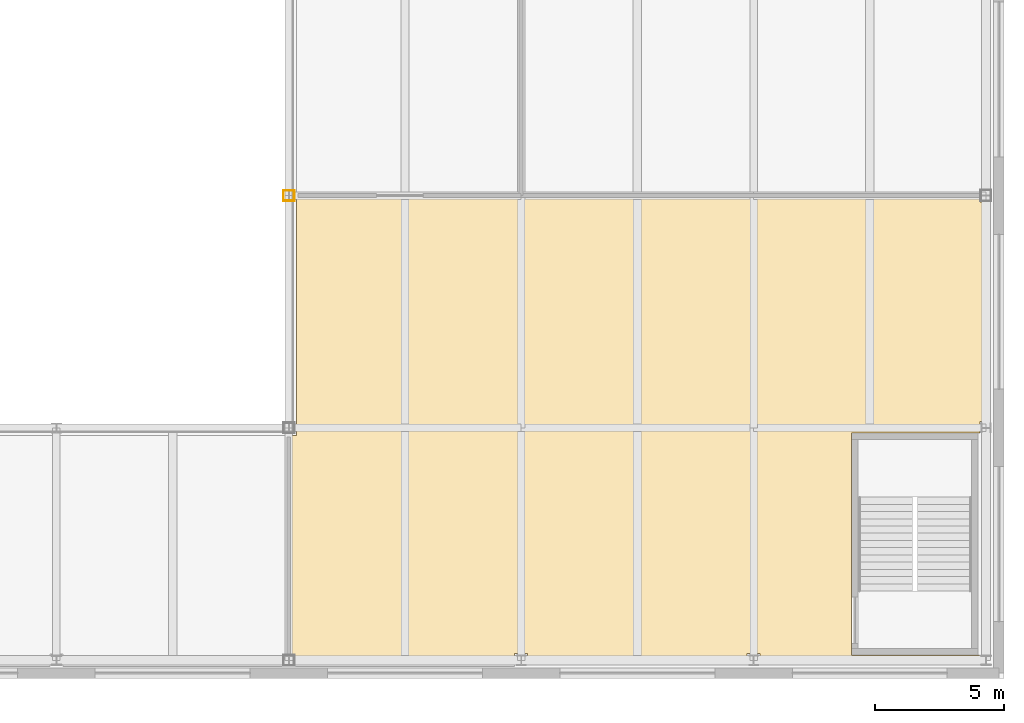
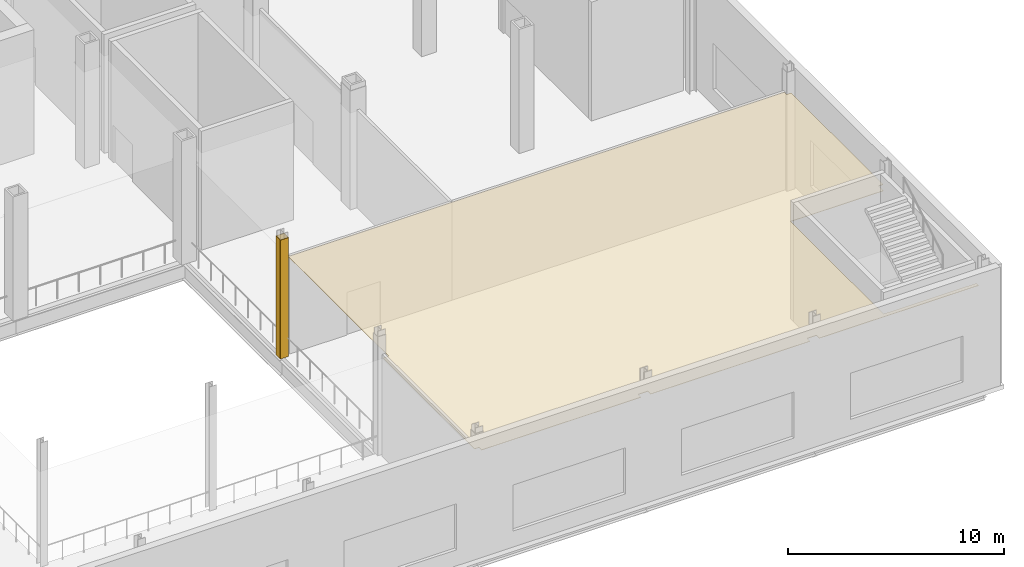
# One storey, part 22 of 32: 5 coverings.
"""IFC4 building model written with IfcOpenShell, lengths in metres."""

from ifc_helpers import new_model, si_unit, direction, frame, origin, origin_2d, place, context, subcontext, project, spatial, polyline, rectangle, outline, extrude, material, layer, layer_set, type_object, element, save


model = new_model("IFC4")

# Units and contexts
model_context = context("Model", 3, precision=1e-05, world=origin(), true_north=direction((0.0, 1.0)))
body_context = subcontext(model_context, "Body", "Model", "MODEL_VIEW")
ifc_project = project(units=[si_unit("LENGTHUNIT", "METRE"), si_unit("AREAUNIT", "SQUARE_METRE"), si_unit("VOLUMEUNIT", "CUBIC_METRE"), si_unit("PLANEANGLEUNIT", "RADIAN"), si_unit("MASSUNIT", "GRAM", prefix="KILO")], contexts=[model_context])

# Site, building, storey
site_placement = place(None, origin())
site = spatial("IfcSite", under=ifc_project, at=site_placement, CompositionType="ELEMENT")
building_placement = place(site_placement, origin())
building = spatial("IfcBuilding", under=site, at=building_placement, Name="Loomwork Tower", CompositionType="ELEMENT")
storey_placement = place(building_placement, frame((0.0, 0.0, 16.0)))
storey = spatial("IfcBuildingStorey", under=building, at=storey_placement, Name="L03", CompositionType="ELEMENT", Elevation=16.0)

# Coverings
ifc_material_1 = material(Name="Two-hour fire-rated gypsum board casing")
ifc_layer_1 = layer(ifc_material_1, 0.02490234375)
ifc_layer_set_1 = layer_set([ifc_layer_1], Name="Column fire casing 25")
covering_type_1 = type_object("IfcCoveringType", Name="Column fire casing 25", PredefinedType="CLADDING", material=ifc_layer_set_1)
for number, where, z_axis, x_axis, name in (
    (1, (36.0, -8.799560546875, 0.0), (0.0, 0.0, 1.0), (1.0, 0.0, 0.0), "Column casing 36 -9 L03"),
    (2, (36.0, -9.200439453125, 0.0), (0.0, 0.0, 1.0), (1.0, 0.0, 0.0), "Column casing 36 -9 L03"),
):
    element("IfcCovering", number, at=place(storey_placement, frame(where, z_axis=z_axis, x_axis=x_axis)), inside=storey, type_object=covering_type_1, Name=name, PredefinedType="CLADDING", context=body_context, shape_type="SweptSolid", body=[
        extrude(rectangle(XDim=0.443603515625, YDim=0.02490234375, at=origin_2d()), origin(), (0.0, 0.0, 1.0), 6.699951171875),
    ])
for number, where, z_axis, x_axis, name in (
    (3, (36.20947265625, -9.0, 0.0), (0.0, 0.0, 1.0), (1.0, 0.0, 0.0), "Column casing 36 -9 L03"),
    (4, (35.79052734375, -9.0, 0.0), (0.0, 0.0, 1.0), (1.0, 0.0, 0.0), "Column casing 36 -9 L03"),
):
    element("IfcCovering", number, at=place(storey_placement, frame(where, z_axis=z_axis, x_axis=x_axis)), inside=storey, type_object=covering_type_1, Name=name, PredefinedType="CLADDING", context=body_context, shape_type="SweptSolid", body=[
        extrude(rectangle(XDim=0.02490234375, YDim=0.3759765625, at=origin_2d()), origin(), (0.0, 0.0, 1.0), 6.699951171875),
    ])
ifc_material_2 = material(Name="Mineral fibre acoustic tile on suspension grid")
ifc_layer_2 = layer(ifc_material_2, 0.02490234375)
ifc_layer_set_2 = layer_set([ifc_layer_2], Name="Suspended acoustic ceiling")
covering_type_2 = type_object("IfcCoveringType", Name="Suspended acoustic ceiling", PredefinedType="CEILING", material=ifc_layer_set_2)
covering_placement = place(storey_placement, frame((0.0, 0.0, 5.47509765625)))
element("IfcCovering", 5, at=covering_placement, inside=storey, type_object=covering_type_2, Name="Ceiling Grand ballroom L03", PredefinedType="CEILING", context=body_context, shape_type="SweptSolid", body=[
    extrude(outline(polyline([(36.300048828125, -18.300048828125), (36.300048828125, -9.0), (62.761962890625, -9.0), (62.761962890625, -9.246826171875), (63.0, -9.246826171875), (63.0, -17.753173828125), (62.761962890625, -17.753173828125), (62.761962890625, -18.199951171875), (57.800048828125, -18.199951171875), (57.800048828125, -26.800048828125), (62.753173828125, -26.800048828125), (62.753173828125, -27.0), (54.25439453125, -27.0), (54.25439453125, -26.73779296875), (53.74560546875, -26.73779296875), (53.74560546875, -27.0), (45.25439453125, -27.0), (45.25439453125, -26.73779296875), (44.74560546875, -26.73779296875), (44.74560546875, -27.0), (36.246826171875, -27.0), (36.246826171875, -26.761962890625), (36.0, -26.761962890625), (36.0, -18.300048828125), (36.300048828125, -18.300048828125)])), origin(), (0.0, 0.0, 1.0), 0.02490234375),
])

save(model, "model.ifc")
